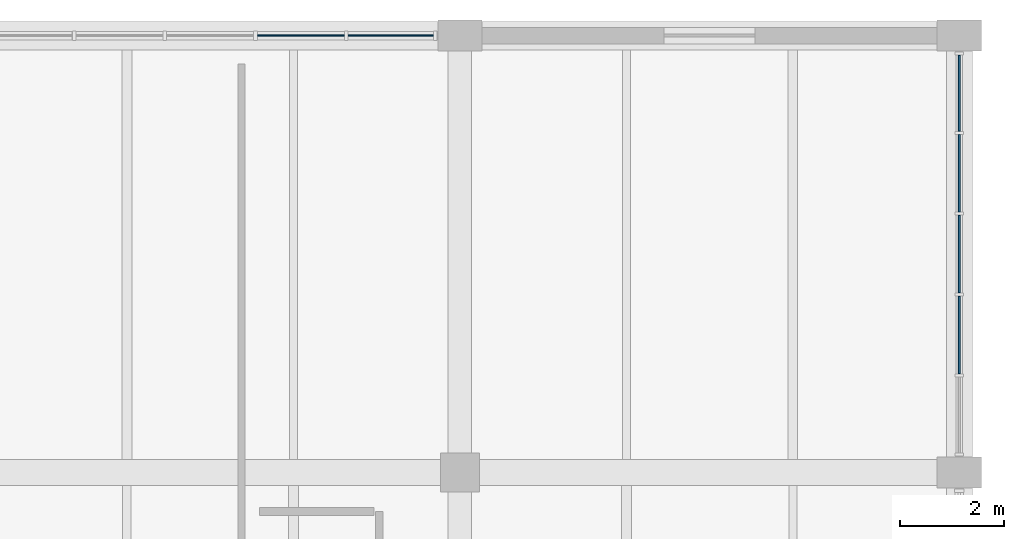
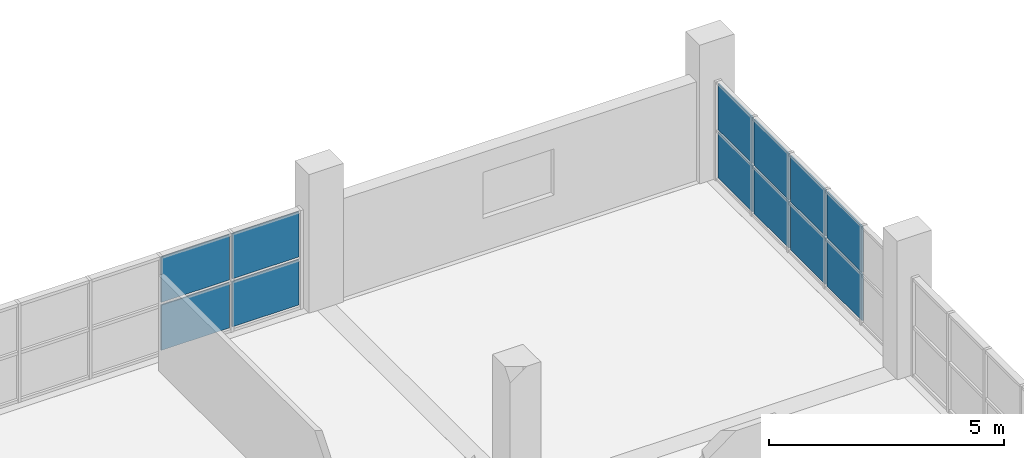
# One storey, part 110 of 147: 12 plates, 2 elements without a shape of their own.
"""IFC4 building model written with IfcOpenShell, lengths in metres."""

from ifc_helpers import new_model, si_unit, direction, frame, origin, origin_2d, place, context, subcontext, project, spatial, rectangle, extrude, material, layer, layer_set, type_object, element, aggregate, save


model = new_model("IFC4")

# Units and contexts
model_context = context("Model", 3, precision=1e-05, world=origin(), true_north=direction((0.0, 1.0)))
body_context = subcontext(model_context, "Body", "Model", "MODEL_VIEW")
ifc_project = project(units=[si_unit("LENGTHUNIT", "METRE"), si_unit("AREAUNIT", "SQUARE_METRE"), si_unit("VOLUMEUNIT", "CUBIC_METRE"), si_unit("PLANEANGLEUNIT", "RADIAN"), si_unit("MASSUNIT", "GRAM", prefix="KILO")], contexts=[model_context])

# Site, building, storey
site_placement = place(None, origin())
site = spatial("IfcSite", under=ifc_project, at=site_placement, CompositionType="ELEMENT")
building_placement = place(site_placement, origin())
building = spatial("IfcBuilding", under=site, at=building_placement, Name="Oolite Switchyard Hospital", CompositionType="ELEMENT")
storey_placement = place(building_placement, frame((0.0, 0.0, 9.89990234375)))
storey = spatial("IfcBuildingStorey", under=building, at=storey_placement, Name="L02", CompositionType="ELEMENT", Elevation=9.89990234375)

# Curtain wall, plates
ifc_material_1 = material(Name="Thermally broken aluminum frame with laminated impact glazing", Category="aluminium")
curtain_wall_type_1 = type_object("IfcCurtainWallType", Name="CW-UNIT-96X36", PredefinedType="USERDEFINED", material=ifc_material_1)
curtain_wall_1_placement = place(storey_placement, origin())
curtain_wall_1 = element("IfcCurtainWall", 1, at=curtain_wall_1_placement, inside=storey, type_object=curtain_wall_type_1, Name="L02 Unitised Curtain Wall 275", ObjectType="UNITISED", PredefinedType="USERDEFINED")
ifc_material_2 = material(Name="Laminated hurricane-impact insulated glazing unit", Category="glass")
ifc_layer_1 = layer(ifc_material_2, 0.031982421875)
ifc_layer_set_1 = layer_set([ifc_layer_1], Name="CW-PNL-VIS32")
plate_type_1 = type_object("IfcPlateType", Name="CW-PNL-VIS32", PredefinedType="CURTAIN_PANEL", material=ifc_layer_set_1)
plate_1_placement = place(storey_placement, frame((198.5439453125, 134.39990234375, 0.0751953125), z_axis=(0.0, 0.0, 1.0), x_axis=(1.0, 0.0, 0.0)))
plate_1 = element("IfcPlate", 2, at=plate_1_placement, type_object=plate_type_1, Name="CW-03 panel 4.1", PredefinedType="CURTAIN_PANEL", context=body_context, shape_type="SweptSolid", body=[
    extrude(rectangle(XDim=1.674072265625, YDim=0.031982421875, at=origin_2d()), origin(), (0.0, 0.0, 1.0), 1.172607421875),
])
plate_2_placement = place(storey_placement, frame((198.5439453125, 134.39990234375, 1.32275390625), z_axis=(0.0, 0.0, 1.0), x_axis=(1.0, 0.0, 0.0)))
plate_2 = element("IfcPlate", 3, at=plate_2_placement, type_object=plate_type_1, Name="CW-03 panel 4.2", PredefinedType="CURTAIN_PANEL", context=body_context, shape_type="SweptSolid", body=[
    extrude(rectangle(XDim=1.674072265625, YDim=0.031982421875, at=origin_2d()), origin(), (0.0, 0.0, 1.0), 1.172607421875),
])
plate_3_placement = place(storey_placement, frame((200.2705078125, 134.39990234375, 0.0751953125), z_axis=(0.0, 0.0, 1.0), x_axis=(1.0, 0.0, 0.0)))
plate_3 = element("IfcPlate", 4, at=plate_3_placement, type_object=plate_type_1, Name="CW-03 panel 5.1", PredefinedType="CURTAIN_PANEL", context=body_context, shape_type="SweptSolid", body=[
    extrude(rectangle(XDim=1.638916015625, YDim=0.031982421875, at=origin_2d()), origin(), (0.0, 0.0, 1.0), 1.172607421875),
])
plate_4_placement = place(storey_placement, frame((200.2705078125, 134.39990234375, 1.32275390625), z_axis=(0.0, 0.0, 1.0), x_axis=(1.0, 0.0, 0.0)))
plate_4 = element("IfcPlate", 5, at=plate_4_placement, type_object=plate_type_1, Name="CW-03 panel 5.2", PredefinedType="CURTAIN_PANEL", context=body_context, shape_type="SweptSolid", body=[
    extrude(rectangle(XDim=1.638916015625, YDim=0.031982421875, at=origin_2d()), origin(), (0.0, 0.0, 1.0), 1.172607421875),
])
aggregate(curtain_wall_1, [plate_1, plate_2, plate_3, plate_4])

curtain_wall_type_2 = type_object("IfcCurtainWallType", Name="CW-UNIT-84X36", PredefinedType="USERDEFINED", material=ifc_material_1)
curtain_wall_2_placement = place(storey_placement, origin())
curtain_wall_2 = element("IfcCurtainWall", 6, at=curtain_wall_2_placement, inside=storey, type_object=curtain_wall_type_2, Name="L02 Unitised Curtain Wall 322", ObjectType="UNITISED", PredefinedType="USERDEFINED")
ifc_layer_2 = layer(ifc_material_2, 0.035888671875)
ifc_layer_set_2 = layer_set([ifc_layer_2], Name="CW-PNL-VIS36")
plate_type_2 = type_object("IfcPlateType", Name="CW-PNL-VIS36", PredefinedType="CURTAIN_PANEL", material=ifc_layer_set_2)
plate_5_placement = place(storey_placement, frame((211.199951171875, 133.29296875, 0.06005859375), z_axis=(0.0, 0.0, 1.0), x_axis=(0.0, -1.0, 0.0)))
plate_5 = element("IfcPlate", 7, at=plate_5_placement, type_object=plate_type_2, Name="CW-08 panel 1.1", PredefinedType="CURTAIN_PANEL", context=body_context, shape_type="SweptSolid", body=[
    extrude(rectangle(XDim=1.464111328125, YDim=0.035888671875, at=origin_2d()), origin(), (0.0, 0.0, 1.0), 1.195068359375),
])
plate_6_placement = place(storey_placement, frame((211.199951171875, 133.29296875, 1.31494140625), z_axis=(0.0, 0.0, 1.0), x_axis=(0.0, -1.0, 0.0)))
plate_6 = element("IfcPlate", 8, at=plate_6_placement, type_object=plate_type_2, Name="CW-08 panel 1.2", PredefinedType="CURTAIN_PANEL", context=body_context, shape_type="SweptSolid", body=[
    extrude(rectangle(XDim=1.464111328125, YDim=0.035888671875, at=origin_2d()), origin(), (0.0, 0.0, 1.0), 1.195068359375),
])
plate_7_placement = place(storey_placement, frame((211.199951171875, 131.75390625, 0.06005859375), z_axis=(0.0, 0.0, 1.0), x_axis=(0.0, -1.0, 0.0)))
plate_7 = element("IfcPlate", 9, at=plate_7_placement, type_object=plate_type_2, Name="CW-08 panel 2.1", PredefinedType="CURTAIN_PANEL", context=body_context, shape_type="SweptSolid", body=[
    extrude(rectangle(XDim=1.493896484375, YDim=0.035888671875, at=origin_2d()), origin(), (0.0, 0.0, 1.0), 1.195068359375),
])
plate_8_placement = place(storey_placement, frame((211.199951171875, 131.75390625, 1.31494140625), z_axis=(0.0, 0.0, 1.0), x_axis=(0.0, -1.0, 0.0)))
plate_8 = element("IfcPlate", 10, at=plate_8_placement, type_object=plate_type_2, Name="CW-08 panel 2.2", PredefinedType="CURTAIN_PANEL", context=body_context, shape_type="SweptSolid", body=[
    extrude(rectangle(XDim=1.493896484375, YDim=0.035888671875, at=origin_2d()), origin(), (0.0, 0.0, 1.0), 1.195068359375),
])
plate_9_placement = place(storey_placement, frame((211.199951171875, 130.199951171875, 0.06005859375), z_axis=(0.0, 0.0, 1.0), x_axis=(0.0, -1.0, 0.0)))
plate_9 = element("IfcPlate", 11, at=plate_9_placement, type_object=plate_type_2, Name="CW-08 panel 3.1", PredefinedType="CURTAIN_PANEL", context=body_context, shape_type="SweptSolid", body=[
    extrude(rectangle(XDim=1.493896484375, YDim=0.035888671875, at=origin_2d()), origin(), (0.0, 0.0, 1.0), 1.195068359375),
])
plate_10_placement = place(storey_placement, frame((211.199951171875, 130.199951171875, 1.31494140625), z_axis=(0.0, 0.0, 1.0), x_axis=(0.0, -1.0, 0.0)))
plate_10 = element("IfcPlate", 12, at=plate_10_placement, type_object=plate_type_2, Name="CW-08 panel 3.2", PredefinedType="CURTAIN_PANEL", context=body_context, shape_type="SweptSolid", body=[
    extrude(rectangle(XDim=1.493896484375, YDim=0.035888671875, at=origin_2d()), origin(), (0.0, 0.0, 1.0), 1.195068359375),
])
plate_11_placement = place(storey_placement, frame((211.199951171875, 128.64599609375, 0.06005859375), z_axis=(0.0, 0.0, 1.0), x_axis=(0.0, -1.0, 0.0)))
plate_11 = element("IfcPlate", 13, at=plate_11_placement, type_object=plate_type_2, Name="CW-08 panel 4.1", PredefinedType="CURTAIN_PANEL", context=body_context, shape_type="SweptSolid", body=[
    extrude(rectangle(XDim=1.493896484375, YDim=0.035888671875, at=origin_2d()), origin(), (0.0, 0.0, 1.0), 1.195068359375),
])
plate_12_placement = place(storey_placement, frame((211.199951171875, 128.64599609375, 1.31494140625), z_axis=(0.0, 0.0, 1.0), x_axis=(0.0, -1.0, 0.0)))
plate_12 = element("IfcPlate", 14, at=plate_12_placement, type_object=plate_type_2, Name="CW-08 panel 4.2", PredefinedType="CURTAIN_PANEL", context=body_context, shape_type="SweptSolid", body=[
    extrude(rectangle(XDim=1.493896484375, YDim=0.035888671875, at=origin_2d()), origin(), (0.0, 0.0, 1.0), 1.195068359375),
])
aggregate(curtain_wall_2, [plate_5, plate_6, plate_7, plate_8, plate_9, plate_10, plate_11, plate_12])

save(model, "model.ifc")
